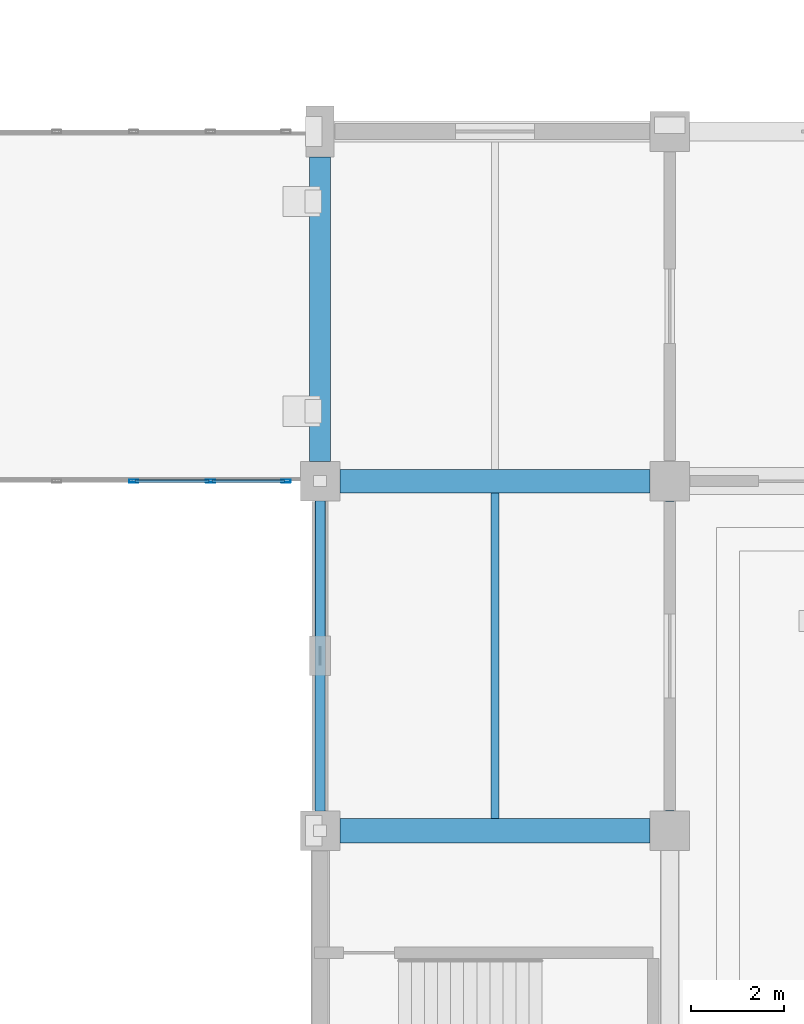
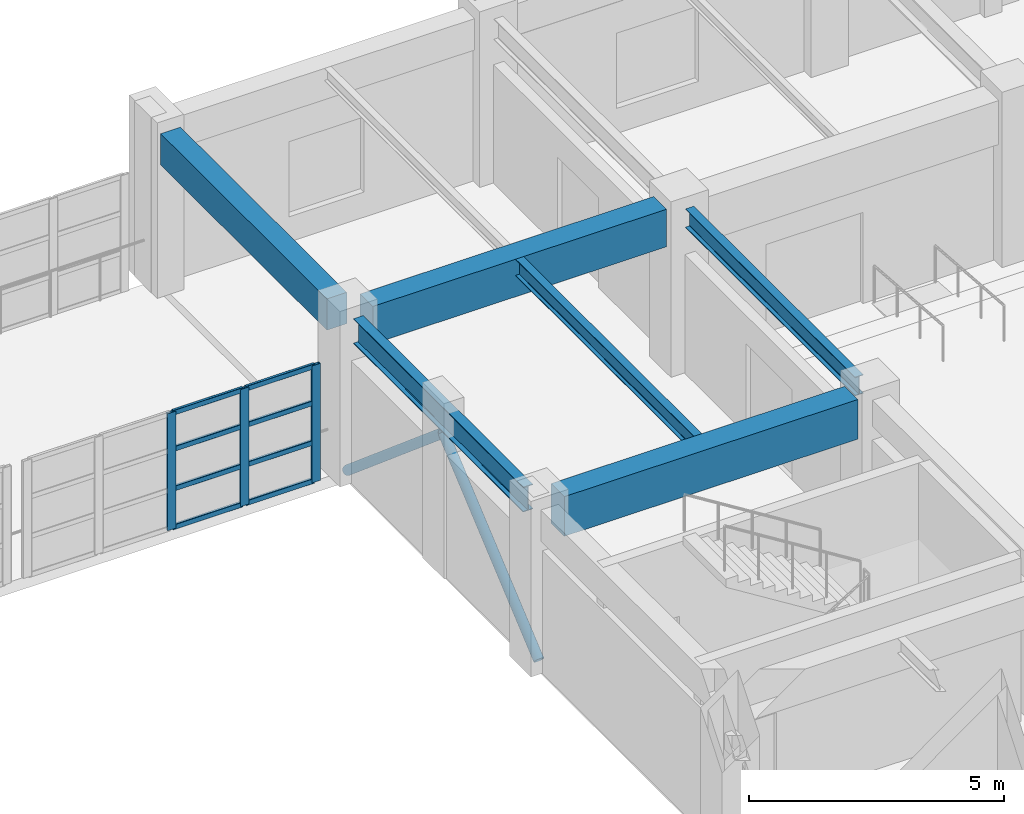
# One storey, part 48 of 132: 13 members, 6 beams, 1 element without a shape of its own.
"""IFC4 building model written with IfcOpenShell, lengths in metres."""

from ifc_helpers import new_model, si_unit, direction, frame, origin, origin_2d, place, context, subcontext, project, spatial, rectangle, hollow_rectangle, hollow_circle, i_section, extrude, material, material_profile, profile_set, type_object, element, aggregate, save


model = new_model("IFC4")

# Units and contexts
model_context = context("Model", 3, precision=1e-05, world=origin(), true_north=direction((0.0, 1.0)))
body_context = subcontext(model_context, "Body", "Model", "MODEL_VIEW")
ifc_project = project(units=[si_unit("LENGTHUNIT", "METRE"), si_unit("AREAUNIT", "SQUARE_METRE"), si_unit("VOLUMEUNIT", "CUBIC_METRE"), si_unit("PLANEANGLEUNIT", "RADIAN"), si_unit("MASSUNIT", "GRAM", prefix="KILO")], contexts=[model_context])

# Site, building, storey
site_placement = place(None, origin())
site = spatial("IfcSite", under=ifc_project, at=site_placement, CompositionType="ELEMENT")
building_placement = place(site_placement, origin())
building = spatial("IfcBuilding", under=site, at=building_placement, Name="Qasida Concert Hall", CompositionType="ELEMENT")
storey_placement = place(building_placement, frame((0.0, 0.0, 4.800048828125)))
storey = spatial("IfcBuildingStorey", under=building, at=storey_placement, Name="L01", CompositionType="ELEMENT", Elevation=4.800048828125)

# Beams
ifc_material_1 = material(Name="Steel S355J2", Category="steel")
ifc_material_profile_1 = material_profile(ifc_material_1, i_section(OverallWidth=0.18994140625, OverallDepth=0.449951171875, WebThickness=0.009521484375, FlangeThickness=0.0146484375, FilletRadius=0.02099609375, at=origin_2d()), Name="IPE 450")
ifc_profile_set_1 = profile_set([ifc_material_profile_1], Name="Steel S355J2")
beam_type_1 = type_object("IfcBeamType", Name="BM-B5", PredefinedType="BEAM", material=ifc_profile_set_1)
beam_1_placement = place(storey_placement, frame((60.0, 67.925048828125, 3.695068359375), z_axis=(0.0, 1.0, 0.0), x_axis=(-1.0, 0.0, 0.0)))
element("IfcBeam", 1, at=beam_1_placement, inside=storey, type_object=beam_type_1, Name="L01 girder 0808", PredefinedType="BEAM", context=body_context, shape_type="SweptSolid", body=[
    extrude(i_section(OverallWidth=0.18994140625, OverallDepth=0.449951171875, WebThickness=0.009521484375, FlangeThickness=0.0146484375, FilletRadius=0.02099609375, at=origin_2d()), origin(), (0.0, 0.0, 1.0), 6.64990234375),
])
ifc_material_2 = material(Name="Concrete C40/50", Category="concrete")
ifc_material_profile_2 = material_profile(ifc_material_2, rectangle(XDim=0.5, YDim=0.89990234375, at=origin_2d()), Name="RC 500x900")
ifc_profile_set_2 = profile_set([ifc_material_profile_2], Name="Concrete C40/50")
beam_type_2 = type_object("IfcBeamType", Name="BM-G1", PredefinedType="USERDEFINED", material=ifc_profile_set_2)
beam_2_placement = place(storey_placement, frame((52.925048828125, 75.0, 3.469970703125), z_axis=(1.0, 0.0, 0.0), x_axis=(0.0, 1.0, 0.0)))
element("IfcBeam", 2, at=beam_2_placement, inside=storey, type_object=beam_type_2, Name="Primary girder 0784", ObjectType="GIRDER", PredefinedType="USERDEFINED", context=body_context, shape_type="SweptSolid", body=[
    extrude(rectangle(XDim=0.5, YDim=0.89990234375, at=origin_2d()), origin(), (0.0, 0.0, 1.0), 6.64990234375),
])
ifc_material_profile_3 = material_profile(ifc_material_2, rectangle(XDim=0.52001953125, YDim=0.949951171875, at=origin_2d()), Name="RC 520x950")
ifc_profile_set_3 = profile_set([ifc_material_profile_3], Name="Concrete C40/50")
beam_type_3 = type_object("IfcBeamType", Name="BM-G7", PredefinedType="USERDEFINED", material=ifc_profile_set_3)
beam_3_placement = place(storey_placement, frame((52.925048828125, 67.5, 3.445068359375), z_axis=(1.0, 0.0, 0.0), x_axis=(0.0, 1.0, 0.0)))
element("IfcBeam", 3, at=beam_3_placement, inside=storey, type_object=beam_type_3, Name="Primary girder 0782", ObjectType="GIRDER", PredefinedType="USERDEFINED", context=body_context, shape_type="SweptSolid", body=[
    extrude(rectangle(XDim=0.52001953125, YDim=0.949951171875, at=origin_2d()), origin(), (0.0, 0.0, 1.0), 6.64990234375),
])
ifc_material_profile_4 = material_profile(ifc_material_1, i_section(OverallWidth=0.179931640625, OverallDepth=0.39990234375, WebThickness=0.008544921875, FlangeThickness=0.013427734375, FilletRadius=0.02099609375, at=origin_2d()), Name="IPE 400")
ifc_profile_set_4 = profile_set([ifc_material_profile_4], Name="Steel S355J2")
beam_type_4 = type_object("IfcBeamType", Name="BM-J3", PredefinedType="JOIST", material=ifc_profile_set_4)
beam_4_placement = place(storey_placement, frame((56.25, 67.760009765625, 3.719970703125), z_axis=(0.0, 1.0, 0.0), x_axis=(-1.0, 0.0, 0.0)))
element("IfcBeam", 4, at=beam_4_placement, inside=storey, type_object=beam_type_4, Name="L01 secondary joist 0834", PredefinedType="JOIST", context=body_context, shape_type="SweptSolid", body=[
    extrude(i_section(OverallWidth=0.179931640625, OverallDepth=0.39990234375, WebThickness=0.008544921875, FlangeThickness=0.013427734375, FilletRadius=0.02099609375, at=origin_2d()), origin(), (0.0, 0.0, 1.0), 6.989990234375),
])
ifc_material_profile_5 = material_profile(ifc_material_1, i_section(OverallWidth=0.219970703125, OverallDepth=0.60009765625, WebThickness=0.011962890625, FlangeThickness=0.01904296875, FilletRadius=0.02392578125, at=origin_2d()), Name="IPE 600")
ifc_profile_set_5 = profile_set([ifc_material_profile_5], Name="Steel S355J2")
beam_type_5 = type_object("IfcBeamType", Name="BM-SP3", PredefinedType="SPANDREL", material=ifc_profile_set_5)
beam_5_placement = place(storey_placement, frame((52.5, 67.925048828125, 3.619873046875), z_axis=(0.0, 1.0, 0.0), x_axis=(-1.0, 0.0, 0.0)))
element("IfcBeam", 5, at=beam_5_placement, inside=storey, type_object=beam_type_5, Name="L01 girder 0802", PredefinedType="SPANDREL", context=body_context, shape_type="SweptSolid", body=[
    extrude(i_section(OverallWidth=0.219970703125, OverallDepth=0.60009765625, WebThickness=0.011962890625, FlangeThickness=0.01904296875, FilletRadius=0.02392578125, at=origin_2d()), origin(), (0.0, 0.0, 1.0), 6.64990234375),
])
ifc_material_profile_6 = material_profile(ifc_material_2, rectangle(XDim=0.449951171875, YDim=0.75, at=origin_2d()), Name="RC 450x750")
ifc_profile_set_6 = profile_set([ifc_material_profile_6], Name="Concrete C40/50")
beam_type_6 = type_object("IfcBeamType", Name="BM-SP4", PredefinedType="SPANDREL", material=ifc_profile_set_6)
beam_6_placement = place(storey_placement, frame((52.5, 75.425048828125, 3.544921875), z_axis=(0.0, 1.0, 0.0), x_axis=(-1.0, 0.0, 0.0)))
element("IfcBeam", 6, at=beam_6_placement, inside=storey, type_object=beam_type_6, Name="L01 girder 0803", PredefinedType="SPANDREL", context=body_context, shape_type="SweptSolid", body=[
    extrude(rectangle(XDim=0.449951171875, YDim=0.75, at=origin_2d()), origin(), (0.0, 0.0, 1.0), 6.52490234375),
])

# Members
ifc_material_profile_7 = material_profile(ifc_material_1, hollow_circle(Radius=0.109619140625, WallThickness=0.010009765625, at=origin_2d()), Name="CHS 219.1x10")
ifc_profile_set_7 = profile_set([ifc_material_profile_7], Name="Steel S355J2")
member_type_1 = type_object("IfcMemberType", Name="MB-BR6", PredefinedType="BRACE", material=ifc_profile_set_7)
for number, where, z_axis, x_axis, name in (
    (7, (52.5, 67.5, 0.0), (0.0, 0.763703031539, 0.645567718848), (-1.0, 0.0, 0.0), "L01 chevron brace CBF-0003"),
    (8, (52.5, 75.0, 0.0), (0.0, -0.763703031539, 0.645567718848), (1.0, 0.0, 0.0), "L01 chevron brace CBF-0004"),
):
    element("IfcMember", number, at=place(storey_placement, frame(where, z_axis=z_axis, x_axis=x_axis)), inside=storey, type_object=member_type_1, Name=name, PredefinedType="BRACE", context=body_context, shape_type="SweptSolid", body=[
        extrude(hollow_circle(Radius=0.109619140625, WallThickness=0.010009765625, at=origin_2d()), origin(), (0.0, 0.0, 1.0), 4.910400390625),
    ])

# Curtain wall, members
ifc_material_3 = material(Name="Architectural bronze-anodized aluminium and low-E glass", Category="aluminium")
curtain_wall_type = type_object("IfcCurtainWallType", Name="CW-08", PredefinedType="NOTDEFINED", material=ifc_material_3)
curtain_wall_placement = place(storey_placement, origin())
curtain_wall = element("IfcCurtainWall", 9, at=curtain_wall_placement, inside=storey, type_object=curtain_wall_type, Name="L01 link bridge glazing 0216", PredefinedType="NOTDEFINED")
ifc_material_4 = material(Name="Architectural bronze-anodized aluminium EN AW-6063", Category="aluminium")
ifc_material_profile_8 = material_profile(ifc_material_4, hollow_rectangle(XDim=0.06494140625, YDim=0.199951171875, WallThickness=0.0048828125, InnerFilletRadius=0.0048828125, OuterFilletRadius=0.010009765625, at=origin_2d()), Name="CWM 200x65x5")
ifc_profile_set_8 = profile_set([ifc_material_profile_8], Name="Architectural bronze-anodized aluminium EN AW-6063")
member_type_2 = type_object("IfcMemberType", Name="MB-CWM-2", PredefinedType="MULLION", material=ifc_profile_set_8)
member_1_placement = place(storey_placement, frame((48.5, 75.0, 0.0), z_axis=(0.0, 0.0, 1.0), x_axis=(0.0, 1.0, 0.0)))
member_1 = element("IfcMember", 10, at=member_1_placement, type_object=member_type_2, Name="CW-08 mullion 3", PredefinedType="MULLION", context=body_context, shape_type="SweptSolid", body=[
    extrude(hollow_rectangle(XDim=0.06494140625, YDim=0.199951171875, WallThickness=0.0048828125, InnerFilletRadius=0.0048828125, OuterFilletRadius=0.010009765625, at=origin_2d()), origin(), (0.0, 0.0, 1.0), 2.800048828125),
])
member_2_placement = place(storey_placement, frame((50.14990234375, 75.0, 0.0), z_axis=(0.0, 0.0, 1.0), x_axis=(0.0, 1.0, 0.0)))
member_2 = element("IfcMember", 11, at=member_2_placement, type_object=member_type_2, Name="CW-08 mullion 4", PredefinedType="MULLION", context=body_context, shape_type="SweptSolid", body=[
    extrude(hollow_rectangle(XDim=0.06494140625, YDim=0.199951171875, WallThickness=0.0048828125, InnerFilletRadius=0.0048828125, OuterFilletRadius=0.010009765625, at=origin_2d()), origin(), (0.0, 0.0, 1.0), 2.800048828125),
])
member_3_placement = place(storey_placement, frame((51.767578125, 75.0, 0.0), z_axis=(0.0, 0.0, 1.0), x_axis=(0.0, 1.0, 0.0)))
member_3 = element("IfcMember", 12, at=member_3_placement, type_object=member_type_2, Name="CW-08 mullion 5", PredefinedType="MULLION", context=body_context, shape_type="SweptSolid", body=[
    extrude(hollow_rectangle(XDim=0.06494140625, YDim=0.199951171875, WallThickness=0.0048828125, InnerFilletRadius=0.0048828125, OuterFilletRadius=0.010009765625, at=origin_2d()), origin(), (0.0, 0.0, 1.0), 2.800048828125),
])
ifc_material_profile_9 = material_profile(ifc_material_4, hollow_rectangle(XDim=0.06005859375, YDim=0.1201171875, WallThickness=0.00390625, InnerFilletRadius=0.00390625, OuterFilletRadius=0.008056640625, at=origin_2d()), Name="CWT 120x60x4")
ifc_profile_set_9 = profile_set([ifc_material_profile_9], Name="Architectural bronze-anodized aluminium EN AW-6063")
member_type_3 = type_object("IfcMemberType", Name="MB-CWT-2", PredefinedType="USERDEFINED", material=ifc_profile_set_9)
member_4_placement = place(storey_placement, frame((48.532470703125, 75.0, 0.030029296875), z_axis=(1.0, 0.0, 0.0), x_axis=(0.0, 1.0, 0.0)))
member_4 = element("IfcMember", 13, at=member_4_placement, type_object=member_type_3, Name="CW-08 transom 3.1", ObjectType="TRANSOM", PredefinedType="USERDEFINED", context=body_context, shape_type="SweptSolid", body=[
    extrude(hollow_rectangle(XDim=0.06005859375, YDim=0.1201171875, WallThickness=0.00390625, InnerFilletRadius=0.00390625, OuterFilletRadius=0.008056640625, at=origin_2d()), origin(), (0.0, 0.0, 1.0), 1.5849609375),
])
member_5_placement = place(storey_placement, frame((48.532470703125, 75.0, 0.949951171875), z_axis=(1.0, 0.0, 0.0), x_axis=(0.0, 1.0, 0.0)))
member_5 = element("IfcMember", 14, at=member_5_placement, type_object=member_type_3, Name="CW-08 transom 3.2", ObjectType="TRANSOM", PredefinedType="USERDEFINED", context=body_context, shape_type="SweptSolid", body=[
    extrude(hollow_rectangle(XDim=0.06005859375, YDim=0.1201171875, WallThickness=0.00390625, InnerFilletRadius=0.00390625, OuterFilletRadius=0.008056640625, at=origin_2d()), origin(), (0.0, 0.0, 1.0), 1.5849609375),
])
member_6_placement = place(storey_placement, frame((48.532470703125, 75.0, 1.89990234375), z_axis=(1.0, 0.0, 0.0), x_axis=(0.0, 1.0, 0.0)))
member_6 = element("IfcMember", 15, at=member_6_placement, type_object=member_type_3, Name="CW-08 transom 3.3", ObjectType="TRANSOM", PredefinedType="USERDEFINED", context=body_context, shape_type="SweptSolid", body=[
    extrude(hollow_rectangle(XDim=0.06005859375, YDim=0.1201171875, WallThickness=0.00390625, InnerFilletRadius=0.00390625, OuterFilletRadius=0.008056640625, at=origin_2d()), origin(), (0.0, 0.0, 1.0), 1.5849609375),
])
member_7_placement = place(storey_placement, frame((48.532470703125, 75.0, 2.77001953125), z_axis=(1.0, 0.0, 0.0), x_axis=(0.0, 1.0, 0.0)))
member_7 = element("IfcMember", 16, at=member_7_placement, type_object=member_type_3, Name="CW-08 transom 3.4", ObjectType="TRANSOM", PredefinedType="USERDEFINED", context=body_context, shape_type="SweptSolid", body=[
    extrude(hollow_rectangle(XDim=0.06005859375, YDim=0.1201171875, WallThickness=0.00390625, InnerFilletRadius=0.00390625, OuterFilletRadius=0.008056640625, at=origin_2d()), origin(), (0.0, 0.0, 1.0), 1.5849609375),
])
member_8_placement = place(storey_placement, frame((50.1826171875, 75.0, 0.030029296875), z_axis=(1.0, 0.0, 0.0), x_axis=(0.0, 1.0, 0.0)))
member_8 = element("IfcMember", 17, at=member_8_placement, type_object=member_type_3, Name="CW-08 transom 4.1", ObjectType="TRANSOM", PredefinedType="USERDEFINED", context=body_context, shape_type="SweptSolid", body=[
    extrude(hollow_rectangle(XDim=0.06005859375, YDim=0.1201171875, WallThickness=0.00390625, InnerFilletRadius=0.00390625, OuterFilletRadius=0.008056640625, at=origin_2d()), origin(), (0.0, 0.0, 1.0), 1.552490234375),
])
member_9_placement = place(storey_placement, frame((50.1826171875, 75.0, 0.949951171875), z_axis=(1.0, 0.0, 0.0), x_axis=(0.0, 1.0, 0.0)))
member_9 = element("IfcMember", 18, at=member_9_placement, type_object=member_type_3, Name="CW-08 transom 4.2", ObjectType="TRANSOM", PredefinedType="USERDEFINED", context=body_context, shape_type="SweptSolid", body=[
    extrude(hollow_rectangle(XDim=0.06005859375, YDim=0.1201171875, WallThickness=0.00390625, InnerFilletRadius=0.00390625, OuterFilletRadius=0.008056640625, at=origin_2d()), origin(), (0.0, 0.0, 1.0), 1.552490234375),
])
member_10_placement = place(storey_placement, frame((50.1826171875, 75.0, 1.89990234375), z_axis=(1.0, 0.0, 0.0), x_axis=(0.0, 1.0, 0.0)))
member_10 = element("IfcMember", 19, at=member_10_placement, type_object=member_type_3, Name="CW-08 transom 4.3", ObjectType="TRANSOM", PredefinedType="USERDEFINED", context=body_context, shape_type="SweptSolid", body=[
    extrude(hollow_rectangle(XDim=0.06005859375, YDim=0.1201171875, WallThickness=0.00390625, InnerFilletRadius=0.00390625, OuterFilletRadius=0.008056640625, at=origin_2d()), origin(), (0.0, 0.0, 1.0), 1.552490234375),
])
member_11_placement = place(storey_placement, frame((50.1826171875, 75.0, 2.77001953125), z_axis=(1.0, 0.0, 0.0), x_axis=(0.0, 1.0, 0.0)))
member_11 = element("IfcMember", 20, at=member_11_placement, type_object=member_type_3, Name="CW-08 transom 4.4", ObjectType="TRANSOM", PredefinedType="USERDEFINED", context=body_context, shape_type="SweptSolid", body=[
    extrude(hollow_rectangle(XDim=0.06005859375, YDim=0.1201171875, WallThickness=0.00390625, InnerFilletRadius=0.00390625, OuterFilletRadius=0.008056640625, at=origin_2d()), origin(), (0.0, 0.0, 1.0), 1.552490234375),
])
aggregate(curtain_wall, [member_1, member_2, member_3, member_4, member_5, member_6, member_7, member_8, member_9, member_10, member_11])

save(model, "model.ifc")
